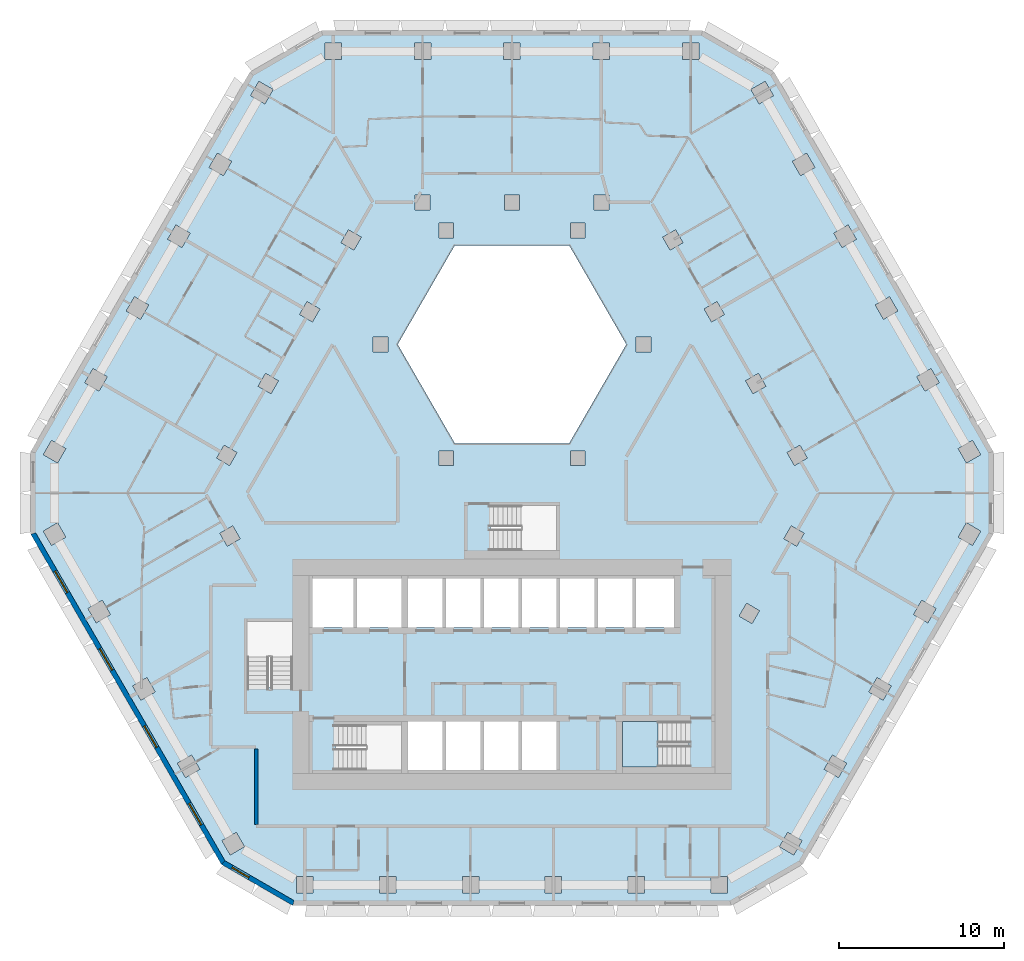
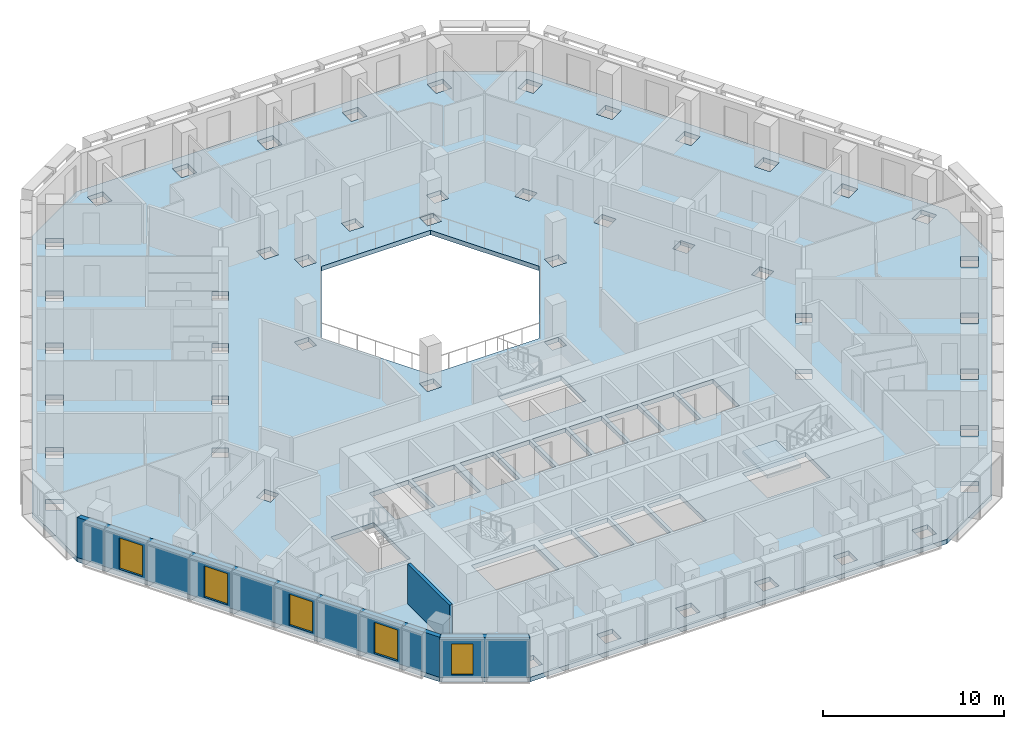
# One storey, part 2 of 16: 5 windows, 3 walls, 2 slabs, 5 openings, 1 element without a shape of its own.
"""IFC4 building model written with IfcOpenShell, lengths in metres."""

from ifc_helpers import new_model, si_unit, direction, frame, frame_2d, origin, place, context, subcontext, project, spatial, polyline, rectangle, outline, extrude, material, layer, layer_set, type_object, element, fill, aggregate, save


model = new_model("IFC4")

# Units and contexts
model_context = context("Model", 3, precision=1e-05, world=origin(), true_north=direction((0.0, 1.0)))
body_context = subcontext(model_context, "Body", "Model", "MODEL_VIEW")
ifc_project = project(units=[si_unit("LENGTHUNIT", "METRE"), si_unit("AREAUNIT", "SQUARE_METRE"), si_unit("VOLUMEUNIT", "CUBIC_METRE"), si_unit("PLANEANGLEUNIT", "RADIAN"), si_unit("MASSUNIT", "GRAM", prefix="KILO")], contexts=[model_context])

# Site, building, storey
site_placement = place(None, origin())
site = spatial("IfcSite", under=ifc_project, at=site_placement, CompositionType="ELEMENT")
building_placement = place(site_placement, origin())
building = spatial("IfcBuilding", under=site, at=building_placement, Name="Beryl Residences", CompositionType="ELEMENT")
storey_placement = place(building_placement, frame((0.0, 0.0, 96.0)))
storey = spatial("IfcBuildingStorey", under=building, at=storey_placement, Name="L29", CompositionType="ELEMENT", Elevation=96.0)

# Slab
ifc_material_1 = material(Name="Concrete C40/50", Category="concrete")
ifc_layer_1 = layer(ifc_material_1, 0.300048828125)
ifc_layer_set_1 = layer_set([ifc_layer_1], Name="SL7 PT floor slab 300 mm C40/50")
slab_type_1 = type_object("IfcSlabType", Name="SL7 PT floor slab 300 mm C40/50", PredefinedType="FLOOR", material=ifc_layer_set_1)
slab_1_placement = place(storey_placement, frame((0.0, 0.0, -0.300048828125)))
element("IfcSlab", 1, at=slab_1_placement, inside=storey, type_object=slab_type_1, Name="L29 slab 1", PredefinedType="FLOOR", context=body_context, shape_type="SweptSolid", body=[
    extrude(outline(polyline([(29.156982421875, -3.5), (17.60888671875, -23.5), (13.279052734375, -26.0), (-13.279052734375, -26.0), (-17.60888671875, -23.5), (-29.156982421875, -3.5), (-29.156982421875, 1.5), (-15.876953125, 24.5), (-11.547119140625, 27.0), (11.547119140625, 27.0), (15.876953125, 24.5), (29.156982421875, 1.5), (29.156982421875, -3.5)]), holes=[polyline([(28.39697265625, 1.31591796875), (27.89697265625, 2.181884765625), (27.031005859375, 1.681884765625), (27.531005859375, 0.81591796875), (28.39697265625, 1.31591796875)]), polyline([(28.39697265625, -3.31591796875), (27.531005859375, -2.81591796875), (27.031005859375, -3.681884765625), (27.89697265625, -4.181884765625), (28.39697265625, -3.31591796875)]), polyline([(25.385009765625, 6.532958984375), (24.51904296875, 6.032958984375), (25.01904296875, 5.1669921875), (25.885009765625, 5.6669921875), (25.385009765625, 6.532958984375)]), polyline([(25.68994140625, -8.00390625), (24.823974609375, -7.50390625), (24.323974609375, -8.3701171875), (25.18994140625, -8.8701171875), (25.68994140625, -8.00390625)]), polyline([(22.873046875, 10.883056640625), (22.007080078125, 10.383056640625), (22.507080078125, 9.51708984375), (23.373046875, 10.01708984375), (22.873046875, 10.883056640625)]), polyline([(22.116943359375, -12.19189453125), (21.616943359375, -13.05810546875), (22.48291015625, -13.55810546875), (22.98291015625, -12.69189453125), (22.116943359375, -12.19189453125)]), polyline([(20.362060546875, 15.23291015625), (19.49609375, 14.73291015625), (19.99609375, 13.866943359375), (20.862060546875, 14.366943359375), (20.362060546875, 15.23291015625)]), polyline([(19.777099609375, -18.24609375), (20.277099609375, -17.3798828125), (19.410888671875, -16.8798828125), (18.910888671875, -17.74609375), (19.777099609375, -18.24609375)]), polyline([(17.85009765625, 19.5830078125), (16.98388671875, 19.0830078125), (17.48388671875, 18.217041015625), (18.35009765625, 18.717041015625), (17.85009765625, 19.5830078125)]), polyline([(17.443115234375, 1.888916015625), (16.6630859375, 1.43896484375), (17.113037109375, 0.658935546875), (17.89306640625, 1.10888671875), (17.443115234375, 1.888916015625)]), polyline([(17.697998046875, -3.447021484375), (16.91796875, -2.9970703125), (16.468017578125, -3.777099609375), (17.248046875, -4.22705078125), (17.697998046875, -3.447021484375)]), polyline([(17.570068359375, -22.068115234375), (16.7041015625, -21.568115234375), (16.2041015625, -22.43408203125), (17.070068359375, -22.93408203125), (17.570068359375, -22.068115234375)]), polyline([(15.839111328125, 23.06689453125), (15.339111328125, 23.93310546875), (14.472900390625, 23.43310546875), (14.972900390625, 22.56689453125), (15.839111328125, 23.06689453125)]), polyline([(14.930908203125, 6.239990234375), (14.15087890625, 5.7900390625), (14.60107421875, 5.010009765625), (15.381103515625, 5.4599609375), (14.930908203125, 6.239990234375)]), polyline([(14.990966796875, -8.135009765625), (14.2109375, -7.68505859375), (13.760986328125, -8.465087890625), (14.541015625, -8.9150390625), (14.990966796875, -8.135009765625)]), polyline([(13.05810546875, -25.25), (13.05810546875, -24.25), (12.05810546875, -24.25), (12.05810546875, -25.25), (13.05810546875, -25.25)]), polyline([(12.419921875, 10.590087890625), (11.639892578125, 10.139892578125), (12.090087890625, 9.360107421875), (12.8701171875, 9.81005859375), (12.419921875, 10.590087890625)]), polyline([(11.324951171875, 26.25), (10.324951171875, 26.25), (10.324951171875, 25.25), (11.324951171875, 25.25), (11.324951171875, 26.25)]), polyline([(10.699951171875, -14.85009765625), (6.699951171875, -14.85009765625), (6.699951171875, -17.60009765625), (10.699951171875, -17.60009765625), (10.699951171875, -14.85009765625)]), polyline([(9.1279296875, 14.489990234375), (9.577880859375, 13.7099609375), (10.35791015625, 14.159912109375), (9.907958984375, 14.93994140625), (9.1279296875, 14.489990234375)]), polyline([(9.800048828125, -6.199951171875), (7.5, -6.199951171875), (7.5, -9.14990234375), (9.800048828125, -9.14990234375), (9.800048828125, -6.199951171875)]), polyline([(8.4169921875, 7.550048828125), (8.4169921875, 8.449951171875), (7.51708984375, 8.449951171875), (7.51708984375, 7.550048828125), (8.4169921875, 7.550048828125)]), polyline([(8.034912109375, -25.25), (8.034912109375, -24.25), (7.034912109375, -24.25), (7.034912109375, -25.25), (8.034912109375, -25.25)]), polyline([(5.199951171875, -6.199951171875), (5.199951171875, -9.14990234375), (7.300048828125, -9.14990234375), (7.300048828125, -6.199951171875), (5.199951171875, -6.199951171875)]), polyline([(3.464111328125, 14.0), (-3.464111328125, 14.0), (-6.92822265625, 8.0), (-3.464111328125, 2.0), (3.464111328125, 2.0), (6.92822265625, 8.0), (3.464111328125, 14.0)]), polyline([(4.912109375, 26.25), (4.912109375, 25.25), (5.912109375, 25.25), (5.912109375, 26.25), (4.912109375, 26.25)]), polyline([(4.9619140625, 17.050048828125), (4.9619140625, 16.14990234375), (5.862060546875, 16.14990234375), (5.862060546875, 17.050048828125), (4.9619140625, 17.050048828125)]), polyline([(2.89990234375, -9.14990234375), (5.0, -9.14990234375), (5.0, -6.199951171875), (2.89990234375, -6.199951171875), (2.89990234375, -9.14990234375)]), polyline([(4.43408203125, 14.449951171875), (4.43408203125, 15.35009765625), (3.533935546875, 15.35009765625), (3.533935546875, 14.449951171875), (4.43408203125, 14.449951171875)]), polyline([(4.43408203125, 0.64990234375), (4.43408203125, 1.550048828125), (3.533935546875, 1.550048828125), (3.533935546875, 0.64990234375), (4.43408203125, 0.64990234375)]), polyline([(2.011962890625, -25.25), (3.011962890625, -25.25), (3.011962890625, -24.25), (2.011962890625, -24.25), (2.011962890625, -25.25)]), polyline([(0.60009765625, -6.199951171875), (0.60009765625, -9.14990234375), (2.699951171875, -9.14990234375), (2.699951171875, -6.199951171875), (0.60009765625, -6.199951171875)]), polyline([(0.60009765625, -17.800048828125), (2.699951171875, -17.800048828125), (2.699951171875, -14.85009765625), (0.60009765625, -14.85009765625), (0.60009765625, -17.800048828125)]), polyline([(-1.300048828125, -1.75), (-1.300048828125, -4.5), (2.699951171875, -4.5), (2.699951171875, -1.75), (-1.300048828125, -1.75)]), polyline([(-0.5009765625, 25.25), (0.4990234375, 25.25), (0.4990234375, 26.25), (-0.5009765625, 26.25), (-0.5009765625, 25.25)]), polyline([(-0.450927734375, 17.050048828125), (-0.450927734375, 16.14990234375), (0.448974609375, 16.14990234375), (0.448974609375, 17.050048828125), (-0.450927734375, 17.050048828125)]), polyline([(-1.699951171875, -9.14990234375), (0.39990234375, -9.14990234375), (0.39990234375, -6.199951171875), (-1.699951171875, -6.199951171875), (-1.699951171875, -9.14990234375)]), polyline([(-1.699951171875, -17.800048828125), (0.39990234375, -17.800048828125), (0.39990234375, -14.85009765625), (-1.699951171875, -14.85009765625), (-1.699951171875, -17.800048828125)]), polyline([(-4.0, -9.14990234375), (-1.89990234375, -9.14990234375), (-1.89990234375, -6.199951171875), (-4.0, -6.199951171875), (-4.0, -9.14990234375)]), polyline([(-4.0, -17.800048828125), (-1.89990234375, -17.800048828125), (-1.89990234375, -14.85009765625), (-4.0, -14.85009765625), (-4.0, -17.800048828125)]), polyline([(-2.010986328125, -25.25), (-2.010986328125, -24.25), (-3.010986328125, -24.25), (-3.010986328125, -25.25), (-2.010986328125, -25.25)]), polyline([(-3.533935546875, 14.449951171875), (-3.533935546875, 15.35009765625), (-4.43408203125, 15.35009765625), (-4.43408203125, 14.449951171875), (-3.533935546875, 14.449951171875)]), polyline([(-3.533935546875, 0.64990234375), (-3.533935546875, 1.550048828125), (-4.43408203125, 1.550048828125), (-4.43408203125, 0.64990234375), (-3.533935546875, 0.64990234375)]), polyline([(-6.300048828125, -17.800048828125), (-4.199951171875, -17.800048828125), (-4.199951171875, -14.85009765625), (-6.300048828125, -14.85009765625), (-6.300048828125, -17.800048828125)]), polyline([(-6.300048828125, -9.14990234375), (-4.199951171875, -9.14990234375), (-4.199951171875, -6.199951171875), (-6.300048828125, -6.199951171875), (-6.300048828125, -9.14990234375)]), polyline([(-5.9140625, 26.25), (-5.9140625, 25.25), (-4.9140625, 25.25), (-4.9140625, 26.25), (-5.9140625, 26.25)]), polyline([(-5.864013671875, 16.14990234375), (-4.964111328125, 16.14990234375), (-4.964111328125, 17.050048828125), (-5.864013671875, 17.050048828125), (-5.864013671875, 16.14990234375)]), polyline([(-6.699951171875, -17.800048828125), (-6.699951171875, -15.050048828125), (-10.699951171875, -15.050048828125), (-10.699951171875, -17.800048828125), (-6.699951171875, -17.800048828125)]), polyline([(-9.39990234375, -9.14990234375), (-6.699951171875, -9.14990234375), (-6.699951171875, -6.199951171875), (-9.39990234375, -6.199951171875), (-9.39990234375, -9.14990234375)]), polyline([(-7.033935546875, -25.25), (-7.033935546875, -24.25), (-8.033935546875, -24.25), (-8.033935546875, -25.25), (-7.033935546875, -25.25)]), polyline([(-8.4169921875, 7.550048828125), (-7.51708984375, 7.550048828125), (-7.51708984375, 8.449951171875), (-8.4169921875, 8.449951171875), (-8.4169921875, 7.550048828125)]), polyline([(-9.577880859375, 13.7099609375), (-9.1279296875, 14.489990234375), (-9.907958984375, 14.93994140625), (-10.35791015625, 14.159912109375), (-9.577880859375, 13.7099609375)]), polyline([(-12.10009765625, -9.14990234375), (-9.60009765625, -9.14990234375), (-9.60009765625, -6.199951171875), (-12.10009765625, -6.199951171875), (-12.10009765625, -9.14990234375)]), polyline([(-11.326904296875, 26.25), (-11.326904296875, 25.25), (-10.326904296875, 25.25), (-10.326904296875, 26.25), (-11.326904296875, 26.25)]), polyline([(-12.868896484375, 9.81005859375), (-12.089111328125, 9.360107421875), (-11.638916015625, 10.139892578125), (-12.4189453125, 10.590087890625), (-12.868896484375, 9.81005859375)]), polyline([(-12.056884765625, -24.25), (-13.056884765625, -24.25), (-13.056884765625, -25.25), (-12.056884765625, -25.25), (-12.056884765625, -24.25)]), polyline([(-13.300048828125, -8.800048828125), (-16.050048828125, -8.800048828125), (-16.050048828125, -12.800048828125), (-13.300048828125, -12.800048828125), (-13.300048828125, -8.800048828125)]), polyline([(-15.381103515625, 5.4599609375), (-14.60107421875, 5.010009765625), (-14.15087890625, 5.7900390625), (-14.930908203125, 6.239990234375), (-15.381103515625, 5.4599609375)]), polyline([(-14.971923828125, 22.568115234375), (-14.471923828125, 23.43408203125), (-15.337890625, 23.93408203125), (-15.837890625, 23.068115234375), (-14.971923828125, 22.568115234375)]), polyline([(-17.070068359375, -22.93408203125), (-16.2041015625, -22.43408203125), (-16.7041015625, -21.568115234375), (-17.570068359375, -22.068115234375), (-17.070068359375, -22.93408203125)]), polyline([(-17.248046875, -4.22705078125), (-16.468017578125, -3.777099609375), (-16.91796875, -2.9970703125), (-17.697998046875, -3.447021484375), (-17.248046875, -4.22705078125)]), polyline([(-17.89208984375, 1.110107421875), (-17.112060546875, 0.659912109375), (-16.662109375, 1.43994140625), (-17.44189453125, 1.889892578125), (-17.89208984375, 1.110107421875)]), polyline([(-18.35009765625, 18.717041015625), (-17.48388671875, 18.217041015625), (-16.98388671875, 19.0830078125), (-17.85009765625, 19.5830078125), (-18.35009765625, 18.717041015625)]), polyline([(-19.777099609375, -18.24609375), (-18.910888671875, -17.74609375), (-19.410888671875, -16.8798828125), (-20.277099609375, -17.3798828125), (-19.777099609375, -18.24609375)]), polyline([(-20.861083984375, 14.366943359375), (-19.9951171875, 13.866943359375), (-19.4951171875, 14.73291015625), (-20.361083984375, 15.23291015625), (-20.861083984375, 14.366943359375)]), polyline([(-21.616943359375, -13.05810546875), (-22.116943359375, -12.19189453125), (-22.98291015625, -12.69189453125), (-22.48291015625, -13.55810546875), (-21.616943359375, -13.05810546875)]), polyline([(-23.373046875, 10.01708984375), (-22.507080078125, 9.51708984375), (-22.007080078125, 10.383056640625), (-22.873046875, 10.883056640625), (-23.373046875, 10.01708984375)]), polyline([(-25.18994140625, -8.8701171875), (-24.323974609375, -8.3701171875), (-24.823974609375, -7.50390625), (-25.68994140625, -8.00390625), (-25.18994140625, -8.8701171875)]), polyline([(-25.385009765625, 6.532958984375), (-25.885009765625, 5.6669921875), (-25.01904296875, 5.1669921875), (-24.51904296875, 6.032958984375), (-25.385009765625, 6.532958984375)]), polyline([(-28.39599609375, 1.31689453125), (-27.530029296875, 0.81689453125), (-27.030029296875, 1.68310546875), (-27.89599609375, 2.18310546875), (-28.39599609375, 1.31689453125)]), polyline([(-27.031005859375, -3.681884765625), (-27.531005859375, -2.81591796875), (-28.39697265625, -3.31591796875), (-27.89697265625, -4.181884765625), (-27.031005859375, -3.681884765625)])]), origin(), (0.0, 0.0, 1.0), 0.300048828125),
])

# Stair, slab
ifc_material_2 = material(Name="Concrete C40/50", Category="concrete")
stair_type = type_object("IfcStairType", Name="ST1 protected exit stair, half-turn, 1300 mm flights", PredefinedType="HALF_TURN_STAIR", material=ifc_material_2)
stair_placement = place(storey_placement, origin())
stair = element("IfcStair", 2, at=stair_placement, inside=storey, type_object=stair_type, Name="L29 PROTECTED EXIT STAIR ST-3", PredefinedType="HALF_TURN_STAIR")
ifc_material_3 = material(Name="Concrete C40/50", Category="concrete")
ifc_layer_2 = layer(ifc_material_3, 0.199951171875)
ifc_layer_set_2 = layer_set([ifc_layer_2], Name="SLD1 stair landing 200 mm")
slab_type_2 = type_object("IfcSlabType", Name="SLD1 stair landing 200 mm", PredefinedType="LANDING", material=ifc_layer_set_2)
slab_2_placement = place(storey_placement, frame((0.0, 0.0, 1.300048828125)))
slab_2 = element("IfcSlab", 3, at=slab_2_placement, type_object=slab_type_2, Name="ST-3 landing 1", PredefinedType="LANDING", context=body_context, shape_type="SweptSolid", body=[
    extrude(outline(polyline([(8.840087890625, -14.85009765625), (6.699951171875, -14.85009765625), (6.699951171875, -17.60009765625), (8.840087890625, -17.60009765625), (8.840087890625, -14.85009765625)])), origin(), (0.0, 0.0, 1.0), 0.199951171875),
])
aggregate(stair, [slab_2])

# Wall, openings, windows
ifc_material_4 = material(Name="Composite metal panel with mineral wool insulation")
ifc_layer_3 = layer(ifc_material_4, 0.300048828125)
ifc_layer_set_3 = layer_set([ifc_layer_3], Name="ES1 pale metal composite panel wall 300 mm")
wall_type_1 = type_object("IfcWallType", Name="ES1 pale metal composite panel wall 300 mm", PredefinedType="SOLIDWALL", material=ifc_layer_set_3)
wall_1_placement = place(storey_placement, frame((-29.027099609375, -3.425048828125, 0.0), z_axis=(0.0, 0.0, 1.0), x_axis=(0.500035407905, -0.866004960056, 0.0)))
wall_1 = element("IfcWall", 4, at=wall_1_placement, inside=storey, type_object=wall_type_1, Name="ES1 external wall L29 SW", PredefinedType="SOLIDWALL", context=body_context, shape_type="SweptSolid", body=[
    extrude(outline(polyline([(0.0, -0.14990234375), (23.094482421875, -0.14990234375), (23.01416015625, 0.14990234375), (0.080322265625, 0.14990234375), (0.0, -0.14990234375)])), origin(), (0.0, 0.0, 1.0), 2.699951171875),
])
opening_1_placement = place(wall_1_placement, frame((2.677001953125, 0.0, 0.14990234375)))
opening_1 = element("IfcOpeningElement", 5, at=opening_1_placement, cuts=wall_1, Name="Opening W1", PredefinedType="OPENING", context=body_context, shape_type="SweptSolid", body=[
    extrude(rectangle(XDim=1.5, YDim=2.10009765625, at=frame_2d((0.75, 1.050048828125))), frame((0.0, 0.159912109375, 0.0), z_axis=(0.0, -1.0, 0.0), x_axis=(1.0, 0.0, 0.0)), (0.0, 0.0, 1.0), 0.320068359375),
])
opening_2_placement = place(wall_1_placement, frame((8.091064453125, 0.0, 0.14990234375)))
opening_2 = element("IfcOpeningElement", 6, at=opening_2_placement, cuts=wall_1, Name="Opening W1", PredefinedType="OPENING", context=body_context, shape_type="SweptSolid", body=[
    extrude(rectangle(XDim=1.5, YDim=2.10009765625, at=frame_2d((0.75, 1.050048828125))), frame((0.0, 0.159912109375, 0.0), z_axis=(0.0, -1.0, 0.0), x_axis=(1.0, 0.0, 0.0)), (0.0, 0.0, 1.0), 0.320068359375),
])
opening_3_placement = place(wall_1_placement, frame((13.50390625, 0.0, 0.14990234375)))
opening_3 = element("IfcOpeningElement", 7, at=opening_3_placement, cuts=wall_1, Name="Opening W1", PredefinedType="OPENING", context=body_context, shape_type="SweptSolid", body=[
    extrude(rectangle(XDim=1.5, YDim=2.10009765625, at=frame_2d((0.75, 1.050048828125))), frame((0.0, 0.159912109375, 0.0), z_axis=(0.0, -1.0, 0.0), x_axis=(1.0, 0.0, 0.0)), (0.0, 0.0, 1.0), 0.320068359375),
])
opening_4_placement = place(wall_1_placement, frame((18.9169921875, 0.0, 0.14990234375)))
opening_4 = element("IfcOpeningElement", 8, at=opening_4_placement, cuts=wall_1, Name="Opening W1", PredefinedType="OPENING", context=body_context, shape_type="SweptSolid", body=[
    extrude(rectangle(XDim=1.5, YDim=2.10009765625, at=frame_2d((0.75, 1.050048828125))), frame((0.0, 0.159912109375, 0.0), z_axis=(0.0, -1.0, 0.0), x_axis=(1.0, 0.0, 0.0)), (0.0, 0.0, 1.0), 0.320068359375),
])
ifc_material_5 = material(Name="Aluminium and clear glass", Category="aluminium")
window_type_1 = type_object("IfcWindowType", Name="W1 cell window 1500 x 2100 mm", PartitioningType="SINGLE_PANEL", PredefinedType="WINDOW", material=ifc_material_5)
window_1_placement = place(opening_1_placement, origin())
window_1 = element("IfcWindow", 9, at=window_1_placement, inside=storey, type_object=window_type_1, Name="W1 window L29 SW 2", OverallHeight=2.10009765625, OverallWidth=1.5, PartitioningType="SINGLE_PANEL", PredefinedType="WINDOW", context=body_context, shape_type="SweptSolid", body=[
    extrude(rectangle(XDim=1.5, YDim=2.10009765625, at=frame_2d((0.75, 1.050048828125))), frame((0.0, 0.030029296875, 0.0), z_axis=(0.0, -1.0, 0.0), x_axis=(1.0, 0.0, 0.0)), (0.0, 0.0, 1.0), 0.06005859375),
])
fill(opening_1, window_1)
window_2_placement = place(opening_2_placement, origin())
window_2 = element("IfcWindow", 10, at=window_2_placement, inside=storey, type_object=window_type_1, Name="W1 window L29 SW 4", OverallHeight=2.10009765625, OverallWidth=1.5, PartitioningType="SINGLE_PANEL", PredefinedType="WINDOW", context=body_context, shape_type="SweptSolid", body=[
    extrude(rectangle(XDim=1.5, YDim=2.10009765625, at=frame_2d((0.75, 1.050048828125))), frame((0.0, 0.030029296875, 0.0), z_axis=(0.0, -1.0, 0.0), x_axis=(1.0, 0.0, 0.0)), (0.0, 0.0, 1.0), 0.06005859375),
])
fill(opening_2, window_2)
window_3_placement = place(opening_3_placement, origin())
window_3 = element("IfcWindow", 11, at=window_3_placement, inside=storey, type_object=window_type_1, Name="W1 window L29 SW 6", OverallHeight=2.10009765625, OverallWidth=1.5, PartitioningType="SINGLE_PANEL", PredefinedType="WINDOW", context=body_context, shape_type="SweptSolid", body=[
    extrude(rectangle(XDim=1.5, YDim=2.10009765625, at=frame_2d((0.75, 1.050048828125))), frame((0.0, 0.030029296875, 0.0), z_axis=(0.0, -1.0, 0.0), x_axis=(1.0, 0.0, 0.0)), (0.0, 0.0, 1.0), 0.06005859375),
])
fill(opening_3, window_3)
window_4_placement = place(opening_4_placement, origin())
window_4 = element("IfcWindow", 12, at=window_4_placement, inside=storey, type_object=window_type_1, Name="W1 window L29 SW 8", OverallHeight=2.10009765625, OverallWidth=1.5, PartitioningType="SINGLE_PANEL", PredefinedType="WINDOW", context=body_context, shape_type="SweptSolid", body=[
    extrude(rectangle(XDim=1.5, YDim=2.10009765625, at=frame_2d((0.75, 1.050048828125))), frame((0.0, 0.030029296875, 0.0), z_axis=(0.0, -1.0, 0.0), x_axis=(1.0, 0.0, 0.0)), (0.0, 0.0, 1.0), 0.06005859375),
])
fill(opening_4, window_4)

# Wall, opening, window
wall_2_placement = place(storey_placement, frame((-17.533935546875, -23.3701171875, 0.0), z_axis=(0.0, 0.0, 1.0), x_axis=(0.866010750942, -0.50002537861, 0.0)))
wall_2 = element("IfcWall", 13, at=wall_2_placement, inside=storey, type_object=wall_type_1, Name="ES1 external wall L29 SW-S", PredefinedType="SOLIDWALL", context=body_context, shape_type="SweptSolid", body=[
    extrude(outline(polyline([(0.0, -0.14990234375), (4.999755859375, -0.14990234375), (4.91943359375, 0.14990234375), (0.080322265625, 0.14990234375), (0.0, -0.14990234375)])), origin(), (0.0, 0.0, 1.0), 2.699951171875),
])
opening_5_placement = place(wall_2_placement, frame((0.64990234375, 0.0, 0.14990234375)))
opening_5 = element("IfcOpeningElement", 14, at=opening_5_placement, cuts=wall_2, Name="Opening W2", PredefinedType="OPENING", context=body_context, shape_type="SweptSolid", body=[
    extrude(rectangle(XDim=1.199951171875, YDim=2.10009765625, at=frame_2d((0.60009765625, 1.050048828125))), frame((0.0, 0.159912109375, 0.0), z_axis=(0.0, -1.0, 0.0), x_axis=(1.0, 0.0, 0.0)), (0.0, 0.0, 1.0), 0.320068359375),
])
ifc_material_6 = material(Name="Aluminium and clear glass", Category="aluminium")
window_type_2 = type_object("IfcWindowType", Name="W2 chamfer window 1200 x 2100 mm", PartitioningType="SINGLE_PANEL", PredefinedType="WINDOW", material=ifc_material_6)
window_5_placement = place(opening_5_placement, origin())
window_5 = element("IfcWindow", 15, at=window_5_placement, inside=storey, type_object=window_type_2, Name="W2 window L29 SW-S 1", OverallHeight=2.10009765625, OverallWidth=1.199951171875, PartitioningType="SINGLE_PANEL", PredefinedType="WINDOW", context=body_context, shape_type="SweptSolid", body=[
    extrude(rectangle(XDim=1.199951171875, YDim=2.10009765625, at=frame_2d((0.60009765625, 1.050048828125))), frame((0.0, 0.030029296875, 0.0), z_axis=(0.0, -1.0, 0.0), x_axis=(1.0, 0.0, 0.0)), (0.0, 0.0, 1.0), 0.06005859375),
])
fill(opening_5, window_5)

# Wall
ifc_material_7 = material(Name="Double stud gypsum board wall")
ifc_layer_4 = layer(ifc_material_7, 0.199951171875)
ifc_layer_set_4 = layer_set([ifc_layer_4], Name="PT4 corridor wall 200 mm double stud")
wall_type_2 = type_object("IfcWallType", Name="PT4 corridor wall 200 mm double stud", PredefinedType="PARTITIONING", material=ifc_layer_set_4)
wall_3_placement = place(storey_placement, frame((-15.5, -16.5009765625, 0.0), z_axis=(0.0, 0.0, 1.0), x_axis=(0.0, -1.0, 0.0)))
element("IfcWall", 16, at=wall_3_placement, inside=storey, type_object=wall_type_2, Name="Wall PT4 L29 007", PredefinedType="PARTITIONING", context=body_context, shape_type="SweptSolid", body=[
    extrude(rectangle(XDim=4.59814453125, YDim=0.199951171875, at=frame_2d((2.299072265625, 0.0))), origin(), (0.0, 0.0, 1.0), 2.699951171875),
])

save(model, "model.ifc")
